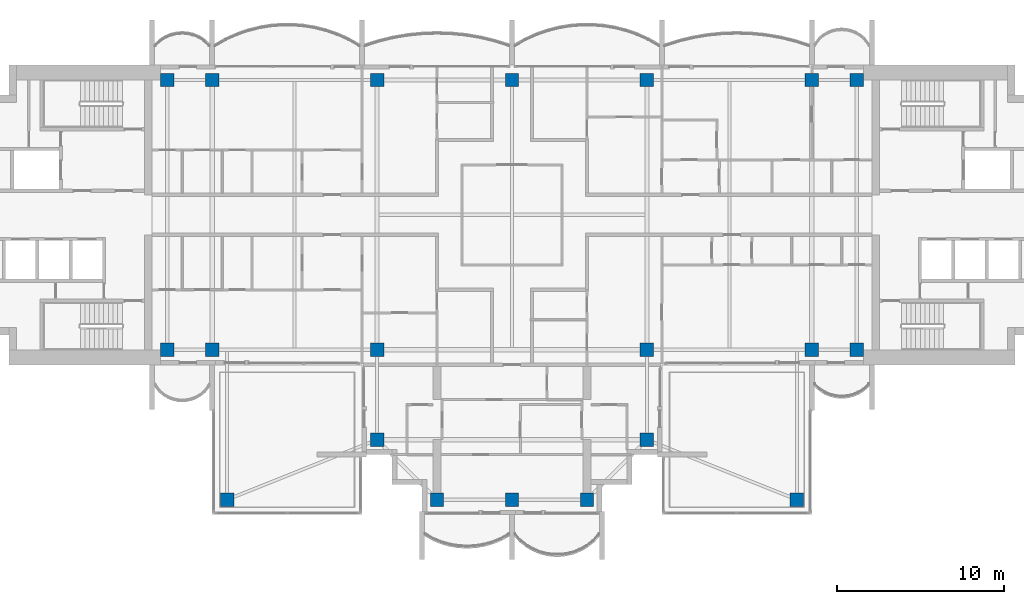
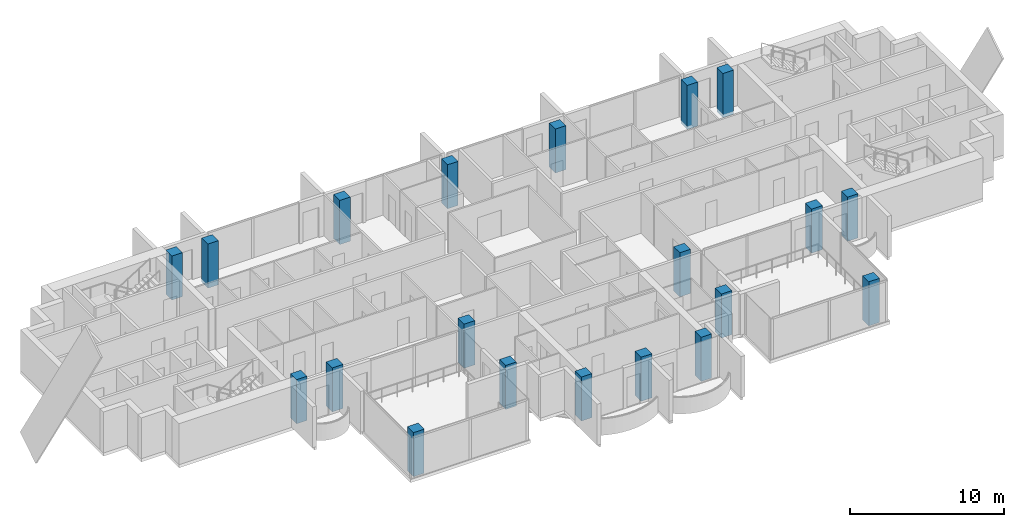
# One storey, part 1 of 17: 20 columns.
"""IFC4 building model written with IfcOpenShell, lengths in metres."""

from ifc_helpers import new_model, si_unit, direction, frame, origin, origin_2d, place, context, subcontext, project, spatial, rectangle, extrude, material, material_profile, profile_set, type_object, element, save


model = new_model("IFC4")

# Units and contexts
model_context = context("Model", 3, precision=1e-05, world=origin(), true_north=direction((0.0, 1.0)))
body_context = subcontext(model_context, "Body", "Model", "MODEL_VIEW")
ifc_project = project(units=[si_unit("LENGTHUNIT", "METRE"), si_unit("AREAUNIT", "SQUARE_METRE"), si_unit("VOLUMEUNIT", "CUBIC_METRE"), si_unit("PLANEANGLEUNIT", "RADIAN"), si_unit("MASSUNIT", "GRAM", prefix="KILO")], contexts=[model_context])

# Site, building, storey
site_placement = place(None, origin())
site = spatial("IfcSite", under=ifc_project, at=site_placement, CompositionType="ELEMENT")
building_placement = place(site_placement, origin())
building = spatial("IfcBuilding", under=site, at=building_placement, Name="Perihelion Cross Residences", CompositionType="ELEMENT")
storey_placement = place(building_placement, frame((0.0, 0.0, 278.0)))
storey = spatial("IfcBuildingStorey", under=building, at=storey_placement, Name="L71", CompositionType="ELEMENT", Elevation=278.0)

# Columns
ifc_material = material(Name="Concrete C50/60", Category="concrete")
ifc_material_profile = material_profile(ifc_material, rectangle(XDim=0.800048828125, YDim=0.800048828125, at=origin_2d()), Name="RC 800x800")
ifc_profile_set = profile_set([ifc_material_profile], Name="Concrete C50/60")
column_type = type_object("IfcColumnType", Name="Reinforced concrete column 800x800 C50/60", PredefinedType="COLUMN", material=ifc_profile_set)
for number, where, z_axis, x_axis, name in (
    (1, (-20.699951171875, -8.10009765625, -0.25), (0.0, 0.0, 1.0), (1.0, 0.0, 0.0), "Column C017 L71 no. 1"),
    (2, (-20.699951171875, 8.10009765625, -0.25), (0.0, 0.0, 1.0), (1.0, 0.0, 0.0), "Column C010 L71 no. 1"),
    (3, (-18.0, -8.10009765625, -0.25), (0.0, 0.0, 1.0), (1.0, 0.0, 0.0), "Column C018 L71 no. 1"),
    (4, (-18.0, 8.10009765625, -0.25), (0.0, 0.0, 1.0), (1.0, 0.0, 0.0), "Column C011 L71 no. 1"),
    (5, (-8.10009765625, -13.5, -0.25), (0.0, 0.0, 1.0), (1.0, 0.0, 0.0), "Column C025 L71 no. 1"),
    (6, (-8.10009765625, -8.10009765625, -0.25), (0.0, 0.0, 1.0), (1.0, 0.0, 0.0), "Column C019 L71 no. 1"),
    (7, (-8.10009765625, 8.10009765625, -0.25), (0.0, 0.0, 1.0), (1.0, 0.0, 0.0), "Column C012 L71 no. 1"),
    (8, (-4.5, -17.10009765625, -0.25), (0.0, 0.0, 1.0), (1.0, 0.0, 0.0), "Column C032 L71 no. 1"),
    (9, (0.0, -17.10009765625, -0.25), (0.0, 0.0, 1.0), (1.0, 0.0, 0.0), "Column C033 L71 no. 1"),
    (10, (0.0, 8.10009765625, -0.25), (0.0, 0.0, 1.0), (1.0, 0.0, 0.0), "Column C013 L71 no. 1"),
    (11, (4.5, -17.10009765625, -0.25), (0.0, 0.0, 1.0), (1.0, 0.0, 0.0), "Column C034 L71 no. 1"),
    (12, (8.10009765625, -13.5, -0.25), (0.0, 0.0, 1.0), (1.0, 0.0, 0.0), "Column C029 L71 no. 1"),
    (13, (8.10009765625, -8.10009765625, -0.25), (0.0, 0.0, 1.0), (1.0, 0.0, 0.0), "Column C020 L71 no. 1"),
    (14, (8.10009765625, 8.10009765625, -0.25), (0.0, 0.0, 1.0), (1.0, 0.0, 0.0), "Column C014 L71 no. 1"),
    (15, (18.0, -8.10009765625, -0.25), (0.0, 0.0, 1.0), (1.0, 0.0, 0.0), "Column C021 L71 no. 1"),
    (16, (18.0, 8.10009765625, -0.25), (0.0, 0.0, 1.0), (1.0, 0.0, 0.0), "Column C015 L71 no. 1"),
    (17, (20.699951171875, -8.10009765625, -0.25), (0.0, 0.0, 1.0), (1.0, 0.0, 0.0), "Column C022 L71 no. 1"),
    (18, (20.699951171875, 8.10009765625, -0.25), (0.0, 0.0, 1.0), (1.0, 0.0, 0.0), "Column C016 L71 no. 1"),
    (19, (-17.10009765625, -17.10009765625, -0.25), (0.0, 0.0, 1.0), (1.0, 0.0, 0.0), "Column C030 L71 no. 1"),
    (20, (17.10009765625, -17.10009765625, -0.25), (0.0, 0.0, 1.0), (1.0, 0.0, 0.0), "Column C036 L71 no. 1"),
):
    element("IfcColumn", number, at=place(storey_placement, frame(where, z_axis=z_axis, x_axis=x_axis)), inside=storey, type_object=column_type, Name=name, PredefinedType="COLUMN", context=body_context, shape_type="SweptSolid", body=[
        extrude(rectangle(XDim=0.800048828125, YDim=0.800048828125, at=origin_2d()), origin(), (0.0, 0.0, 1.0), 3.5),
    ])

save(model, "model.ifc")
